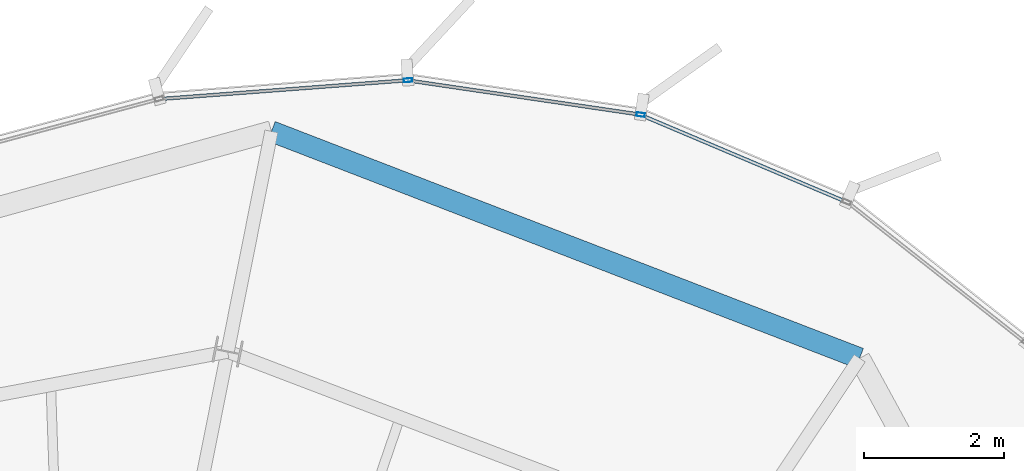
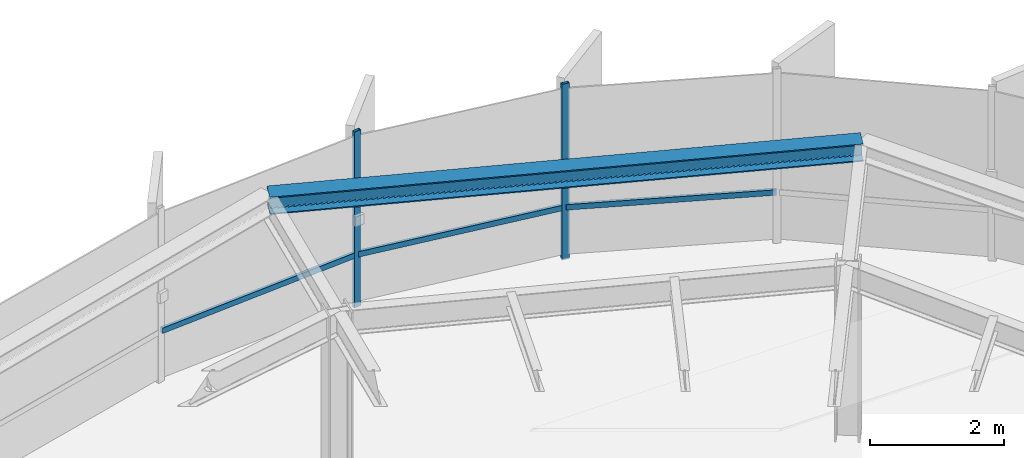
# One storey, part 22 of 32: 5 members, 1 beam, 1 element without a shape of its own.
"""IFC4 building model written with IfcOpenShell, lengths in metres."""

import ifcopenshell
import ifcopenshell.guid

model = None  # the IFC model being written
_history = None  # IfcOwnerHistory: only IFC2X3 demands one
_inside = {}  # id of a spatial element -> (the spatial element, [elements in it])
_under = {}  # id of a project, library or spatial element -> (it, [spatial elements below it])
_declared = {}  # id of a project -> (the project, [libraries it declares])
_typed = {}  # id of a type object -> (the type object, [elements of that type])
_made_of = {}  # id of a material, layer set ... -> (it, [elements and type objects made of it])


def new_model(schema):
    """Start an empty IFC model of exactly this schema.

    Asked for "IFC4X3", IfcOpenShell would pick the latest addendum, in which some entities
    have other attributes; the version numbers below select the first issue.
    IFC2X3 requires an IfcOwnerHistory on every rooted entity: one is made here for all.
    """
    global model, _history
    if schema == "IFC4X3":
        model = ifcopenshell.file(schema_version=(4, 3, 0, 0))
    else:
        model = ifcopenshell.file(schema=schema)
    _inside.clear()
    _under.clear()
    _declared.clear()
    _typed.clear()
    _made_of.clear()
    _history = None
    if model.schema == "IFC2X3":
        org = make("IfcOrganization", Name="unknown")
        user = make(
            "IfcPersonAndOrganization",
            ThePerson=make("IfcPerson", FamilyName="unknown"),
            TheOrganization=org,
        )
        app = make(
            "IfcApplication",
            ApplicationDeveloper=org,
            Version="unknown",
            ApplicationFullName="unknown",
            ApplicationIdentifier="unknown",
        )
        _history = make(
            "IfcOwnerHistory",
            OwningUser=user,
            OwningApplication=app,
            ChangeAction="ADDED",
            CreationDate=0,
        )
    return model


def make(cls, **values):
    """One entity of the class cls with the attributes given. An attribute that is None is left unset."""
    return model.create_entity(
        cls, **{name: value for name, value in values.items() if value is not None}
    )


def rooted(cls, **values):
    """An entity with a GlobalId (a new one), such as an element, a storey or a relation."""
    return make(cls, GlobalId=ifcopenshell.guid.new(), OwnerHistory=_history, **values)


def si_unit(unit_type, name, prefix=None):
    """IfcSIUnit, for example si_unit("LENGTHUNIT", "METRE", prefix="MILLI")."""
    return make("IfcSIUnit", UnitType=unit_type, Prefix=prefix, Name=name)


def assignment(units):
    """IfcUnitAssignment: the units of a project."""
    return None if units is None else make("IfcUnitAssignment", Units=units)


def point(xyz):
    """IfcCartesianPoint."""
    return None if xyz is None else make("IfcCartesianPoint", Coordinates=xyz)


def direction(xyz):
    """IfcDirection."""
    return None if xyz is None else make("IfcDirection", DirectionRatios=xyz)


def frame(location, z_axis=None, x_axis=None):
    """IfcAxis2Placement3D, a coordinate frame: its origin and axes. An axis left out is left unset."""
    return make(
        "IfcAxis2Placement3D",
        Location=point(location),
        Axis=direction(z_axis),
        RefDirection=direction(x_axis),
    )


def frame_2d(location, x_axis=None):
    """IfcAxis2Placement2D, a coordinate frame in the plane: its origin and x axis."""
    return make(
        "IfcAxis2Placement2D", Location=point(location), RefDirection=direction(x_axis)
    )


def origin():
    """The frame at (0, 0, 0) with its axes left unset."""
    return frame((0.0, 0.0, 0.0))


def origin_2d():
    """The frame at (0, 0) in the plane with its x axis left unset."""
    return frame_2d((0.0, 0.0))


def place(relative_to, where):
    """IfcLocalPlacement: puts the frame where relative to a parent placement (None: the world)."""
    return make(
        "IfcLocalPlacement", PlacementRelTo=relative_to, RelativePlacement=where
    )


def context(
    kind, dimensions, precision=None, world=None, true_north=None, identifier=None
):
    """IfcGeometricRepresentationContext, for example the 3D "Model" context."""
    return make(
        "IfcGeometricRepresentationContext",
        ContextIdentifier=identifier,
        ContextType=kind,
        CoordinateSpaceDimension=dimensions,
        Precision=precision,
        WorldCoordinateSystem=world,
        TrueNorth=true_north,
    )


def subcontext(parent, identifier, kind, view, scale=None):
    """IfcGeometricRepresentationSubContext, for example "Body" below "Model"."""
    return make(
        "IfcGeometricRepresentationSubContext",
        ContextIdentifier=identifier,
        ContextType=kind,
        ParentContext=parent,
        TargetScale=scale,
        TargetView=view,
    )


def project(units=None, contexts=None):
    """IfcProject with its units and contexts."""
    return rooted(
        "IfcProject",
        Name="project",
        RepresentationContexts=contexts,
        UnitsInContext=assignment(units),
    )


def spatial(cls, under=None, at=None, **own):
    """A site, building, storey or space (cls), placed at a placement, below another one or the project."""
    s = rooted(cls, ObjectPlacement=at, **own)
    if under is not None:
        _under.setdefault(under.id(), (under, []))[1].append(s)
    return s


def profile(cls, at=None, kind="AREA", **sizes):
    """A parametric profile (cls). Its sizes go by their IFC names, for example OverallWidth=200.0."""
    return make(cls, ProfileType=kind, Position=at, **sizes)


def hollow_rectangle(**sizes):
    """IfcRectangleHollowProfileDef."""
    return profile("IfcRectangleHollowProfileDef", **sizes)


def i_section(**sizes):
    """IfcIShapeProfileDef."""
    return profile("IfcIShapeProfileDef", **sizes)


def extrude(swept, where, along, depth):
    """IfcExtrudedAreaSolid: the profile swept, set in the frame where, extruded along a direction by depth."""
    return make(
        "IfcExtrudedAreaSolid",
        SweptArea=swept,
        Position=where,
        ExtrudedDirection=direction(along),
        Depth=depth,
    )


def shape(context_of_items, identifier, shape_type, items):
    """IfcShapeRepresentation: the items that make up one representation, for example the "Body"."""
    return make(
        "IfcShapeRepresentation",
        ContextOfItems=context_of_items,
        RepresentationIdentifier=identifier,
        RepresentationType=shape_type,
        Items=items,
    )


def source(mapping_origin, context_of_items, identifier, shape_type, items):
    """IfcRepresentationMap: a shape defined once, which mapped items show again and again."""
    return make(
        "IfcRepresentationMap",
        MappingOrigin=mapping_origin,
        MappedRepresentation=shape(context_of_items, identifier, shape_type, items),
    )


def transform(
    local_origin,
    x_axis=None,
    y_axis=None,
    z_axis=None,
    scale=None,
    scale2=None,
    scale3=None,
    uniform=True,
):
    """IfcCartesianTransformationOperator3D, or its non-uniform kind. x_axis, y_axis, z_axis: its Axis1, 2, 3."""
    if uniform:
        return make(
            "IfcCartesianTransformationOperator3D",
            Axis1=direction(x_axis),
            Axis2=direction(y_axis),
            LocalOrigin=point(local_origin),
            Scale=scale,
            Axis3=direction(z_axis),
        )
    return make(
        "IfcCartesianTransformationOperator3DnonUniform",
        Axis1=direction(x_axis),
        Axis2=direction(y_axis),
        LocalOrigin=point(local_origin),
        Scale=scale,
        Axis3=direction(z_axis),
        Scale2=scale2,
        Scale3=scale3,
    )


def mapped(mapping_source, mapping_target):
    """IfcMappedItem: shows the shape of a source again, moved by a transform."""
    return make(
        "IfcMappedItem", MappingSource=mapping_source, MappingTarget=mapping_target
    )


def material(Name=None, Category=None):
    """IfcMaterial."""
    return make("IfcMaterial", Name=Name, Category=Category)


def layer(
    of_material, thickness, ventilated=None, Name=None, Category=None, Priority=None
):
    """IfcMaterialLayer: one layer of a wall or slab, of a material (None: an air gap)."""
    return make(
        "IfcMaterialLayer",
        Material=of_material,
        LayerThickness=thickness,
        IsVentilated=ventilated,
        Name=Name,
        Category=Category,
        Priority=Priority,
    )


def layer_set(layers, Name=None):
    """IfcMaterialLayerSet."""
    return make("IfcMaterialLayerSet", MaterialLayers=layers, LayerSetName=Name)


def material_profile(
    of_material, cross_section, Name=None, Category=None, Priority=None
):
    """IfcMaterialProfile: a cross section and its material."""
    return make(
        "IfcMaterialProfile",
        Name=Name,
        Material=of_material,
        Profile=cross_section,
        Priority=Priority,
        Category=Category,
    )


def profile_set(profiles, Name=None, composite=None):
    """IfcMaterialProfileSet."""
    return make(
        "IfcMaterialProfileSet",
        Name=Name,
        MaterialProfiles=profiles,
        CompositeProfile=composite,
    )


def made_of(thing, what):
    """Note that an element or type object is made of a material, layer set ...; save() writes the relation."""
    if what is not None:
        _made_of.setdefault(what.id(), (what, []))[1].append(thing)
    return thing


def type_object(cls, material=None, **own):
    """A type object (cls), such as IfcWallType, which elements share."""
    return made_of(rooted(cls, **own), material)


def element(
    cls,
    number,
    at=None,
    inside=None,
    cuts=None,
    type_object=None,
    material=None,
    context=None,
    identifier="Body",
    shape_type=None,
    held_by="IfcProductDefinitionShape",
    body=None,
    shapes=None,
    **own,
):
    """One element of the class cls, such as IfcWall. Its Tag is "e" and its number.

    at: its placement. inside: the storey or other place that contains it. cuts: it is an
    opening in that element (IfcRelVoidsElement). A single representation is given by context,
    identifier, shape_type and body (its items); several are given by shapes. held_by: the class
    of the entity that holds the representations. save() writes the other relations.
    """
    e = rooted(cls, Tag="e%d" % number, ObjectPlacement=at, **own)
    if body is not None:
        shapes = [shape(context, identifier, shape_type, body)]
    if shapes is not None:
        e.Representation = make(held_by, Representations=shapes)
    if inside is not None:
        _inside.setdefault(inside.id(), (inside, []))[1].append(e)
    if cuts is not None:
        rooted(
            "IfcRelVoidsElement", RelatingBuildingElement=cuts, RelatedOpeningElement=e
        )
    if type_object is not None:
        _typed.setdefault(type_object.id(), (type_object, []))[1].append(e)
    return made_of(e, material)


def aggregate(whole, parts):
    """IfcRelAggregates: a whole, such as a stair, and the parts it consists of."""
    return rooted("IfcRelAggregates", RelatingObject=whole, RelatedObjects=parts)


def save(model, path):
    """Write the relations noted so far, then the file.

    IfcRelAggregates (storeys below a building ...), IfcRelContainedInSpatialStructure (elements
    in a storey), IfcRelDefinesByType, IfcRelAssociatesMaterial and IfcRelDeclares: one each for
    every whole, place, type object, material and project.
    """
    for whole, parts in _under.values():
        aggregate(whole, parts)
    for where, things in _inside.values():
        rooted(
            "IfcRelContainedInSpatialStructure",
            RelatedElements=things,
            RelatingStructure=where,
        )
    for kind, things in _typed.values():
        rooted("IfcRelDefinesByType", RelatedObjects=things, RelatingType=kind)
    for what, things in _made_of.values():
        rooted("IfcRelAssociatesMaterial", RelatedObjects=things, RelatingMaterial=what)
    for by, libraries in _declared.values():
        rooted("IfcRelDeclares", RelatingContext=by, RelatedDefinitions=libraries)
    model.write(path)


model = new_model("IFC4")

# Units and contexts
model_context = context("Model", 3, precision=1e-05, world=origin(), true_north=direction((0.0, 1.0)))
body_context = subcontext(model_context, "Body", "Model", "MODEL_VIEW")
ifc_project = project(units=[si_unit("LENGTHUNIT", "METRE"), si_unit("AREAUNIT", "SQUARE_METRE"), si_unit("VOLUMEUNIT", "CUBIC_METRE"), si_unit("PLANEANGLEUNIT", "RADIAN"), si_unit("MASSUNIT", "GRAM", prefix="KILO"), si_unit("THERMODYNAMICTEMPERATUREUNIT", "KELVIN")], contexts=[model_context])

# Site, building, storey
site_placement = place(None, origin())
site = spatial("IfcSite", under=ifc_project, at=site_placement, CompositionType="ELEMENT")
building_placement = place(site_placement, origin())
building = spatial("IfcBuilding", under=site, at=building_placement, Name="Kethvar Cultural Tower", CompositionType="ELEMENT")
storey_placement = place(building_placement, frame((0.0, 0.0, 273.25)))
storey = spatial("IfcBuildingStorey", under=building, at=storey_placement, Name="L72", CompositionType="ELEMENT", Elevation=273.25)

# Beam
ifc_material_1 = material(Name="Steel S355J2", Category="steel")
ifc_material_profile_1 = material_profile(ifc_material_1, i_section(OverallWidth=0.300048828125, OverallDepth=0.320068359375, WebThickness=0.011474609375, FlangeThickness=0.0205078125, FilletRadius=0.027099609375, at=origin_2d()), Name="Steel S355J2 — HEB320")
ifc_profile_set_1 = profile_set([ifc_material_profile_1], Name="Steel S355J2 — HEB320")
beam_type = type_object("IfcBeamType", Name="BM-SP320", PredefinedType="SPANDREL", material=ifc_profile_set_1)
shared_shape_1 = source(origin(), body_context, "Body", "SweptSolid", [
    extrude(i_section(OverallWidth=0.300048828125, OverallDepth=0.320068359375, WebThickness=0.011474609375, FlangeThickness=0.0205078125, FilletRadius=0.027099609375, at=origin_2d()), origin(), (0.0, 0.0, 1.0), 8.98583984375),
])
beam_placement = place(storey_placement, frame((59.653076171875, 47.035888671875, 3.048095703125), z_axis=(-0.932983803051, 0.359918356359, 0.0), x_axis=(-0.359918356359, -0.932983803051, 0.0)))
element("IfcBeam", 1, at=beam_placement, inside=storey, type_object=beam_type, Name="L72 Perimeter Spandrel Beam SP-03", PredefinedType="SPANDREL", context=body_context, shape_type="MappedRepresentation", body=[
    mapped(shared_shape_1, transform((0.0, 0.0, 0.0), scale=1.0)),
])

# Curtain wall, members
ifc_material_2 = material(Name="Aluminium 6063-T6", Category="aluminium")
ifc_layer = layer(ifc_material_2, 0.179931640625, Name="Aluminium 6063-T6", Category="aluminium")
ifc_layer_set = layer_set([ifc_layer], Name="Aluminium 6063-T6 (180 mm)")
curtain_wall_type = type_object("IfcCurtainWallType", Name="CW-SYS-05-Z56", PredefinedType="NOTDEFINED", material=ifc_layer_set)
curtain_wall_placement = place(storey_placement, origin())
curtain_wall = element("IfcCurtainWall", 2, at=curtain_wall_placement, inside=storey, type_object=curtain_wall_type, Name="L72 Curtain Wall Run 01", PredefinedType="NOTDEFINED")
ifc_material_profile_2 = material_profile(ifc_material_2, hollow_rectangle(XDim=0.054931640625, YDim=0.1201171875, WallThickness=0.00390625, at=origin_2d()), Name="Aluminium 6063-T6 — RHS120x55x4")
ifc_profile_set_2 = profile_set([ifc_material_profile_2], Name="Aluminium 6063-T6 — RHS120x55x4")
member_type_1 = type_object("IfcMemberType", Name="CW-SYS-05-Z56-MUL", PredefinedType="MULLION", material=ifc_profile_set_2)
shared_shape_2 = source(origin(), body_context, "Body", "SweptSolid", [
    extrude(hollow_rectangle(XDim=0.054931640625, YDim=0.1201171875, WallThickness=0.00390625, at=origin_2d()), origin(), (0.0, 0.0, 1.0), 3.2099609375),
])
member_1_placement = place(storey_placement, frame((56.531494140625, 50.508056640625, 0.0), z_axis=(0.0, 0.0, 1.0), x_axis=(-0.145599561474, -0.989343604466, 0.0)))
member_1 = element("IfcMember", 3, at=member_1_placement, type_object=member_type_1, Name="CW-L72-R01 Mullion 2", PredefinedType="MULLION", context=body_context, shape_type="MappedRepresentation", body=[
    mapped(shared_shape_2, transform((0.0, 0.0, 0.0), scale=1.0)),
])
member_2_placement = place(storey_placement, frame((53.2158203125, 50.99853515625, 0.0), z_axis=(0.0, 0.0, 1.0), x_axis=(0.075413823771, -0.99715232296, 0.0)))
member_2 = element("IfcMember", 4, at=member_2_placement, type_object=member_type_1, Name="CW-L72-R01 Mullion 3", PredefinedType="MULLION", context=body_context, shape_type="MappedRepresentation", body=[
    mapped(shared_shape_2, transform((0.0, 0.0, 0.0), scale=1.0)),
])
ifc_material_profile_3 = material_profile(ifc_material_2, hollow_rectangle(XDim=0.050048828125, YDim=0.10009765625, WallThickness=0.00390625, at=origin_2d()), Name="Aluminium 6063-T6 — RHS100x50x4")
ifc_profile_set_3 = profile_set([ifc_material_profile_3], Name="Aluminium 6063-T6 — RHS100x50x4")
member_type_2 = type_object("IfcMemberType", Name="CW-SYS-05-Z56-TRN", PredefinedType="USERDEFINED", material=ifc_profile_set_3)
shared_shape_3 = source(origin(), body_context, "Body", "SweptSolid", [
    extrude(hollow_rectangle(XDim=0.050048828125, YDim=0.10009765625, WallThickness=0.00390625, at=origin_2d()), origin(), (0.0, 0.0, 1.0), 3.170654296875),
])
member_3_placement = place(storey_placement, frame((59.4638671875, 49.26416015625, 0.949951171875), z_axis=(-0.920978940513, 0.389612360086, 0.0), x_axis=(-0.389612360086, -0.920978940513, 0.0)))
member_3 = element("IfcMember", 5, at=member_3_placement, type_object=member_type_2, Name="CW-L72-R01 Transom 1", ObjectType="TRANSOM", PredefinedType="USERDEFINED", context=body_context, shape_type="MappedRepresentation", body=[
    mapped(shared_shape_3, transform((0.0, 0.0, 0.0), scale=1.0)),
])
shared_shape_4 = source(origin(), body_context, "Body", "SweptSolid", [
    extrude(hollow_rectangle(XDim=0.050048828125, YDim=0.10009765625, WallThickness=0.00390625, at=origin_2d()), origin(), (0.0, 0.0, 1.0), 3.294677734375),
])
member_4_placement = place(storey_placement, frame((56.492431640625, 50.513916015625, 0.949951171875), z_axis=(-0.989352546, 0.145538791128, 0.0), x_axis=(-0.145538791128, -0.989352546, 0.0)))
member_4 = element("IfcMember", 6, at=member_4_placement, type_object=member_type_2, Name="CW-L72-R01 Transom 2", ObjectType="TRANSOM", PredefinedType="USERDEFINED", context=body_context, shape_type="MappedRepresentation", body=[
    mapped(shared_shape_4, transform((0.0, 0.0, 0.0), scale=1.0)),
])
shared_shape_5 = source(origin(), body_context, "Body", "SweptSolid", [
    extrude(hollow_rectangle(XDim=0.050048828125, YDim=0.10009765625, WallThickness=0.00390625, at=origin_2d()), origin(), (0.0, 0.0, 1.0), 3.494873046875),
])
member_5_placement = place(storey_placement, frame((53.176513671875, 50.99560546875, 0.949951171875), z_axis=(-0.99714985906, -0.075446395389, 0.0), x_axis=(0.075446395389, -0.99714985906, 0.0)))
member_5 = element("IfcMember", 7, at=member_5_placement, type_object=member_type_2, Name="CW-L72-R01 Transom 3", ObjectType="TRANSOM", PredefinedType="USERDEFINED", context=body_context, shape_type="MappedRepresentation", body=[
    mapped(shared_shape_5, transform((0.0, 0.0, 0.0), scale=1.0)),
])
aggregate(curtain_wall, [member_1, member_2, member_3, member_4, member_5])

save(model, "model.ifc")
